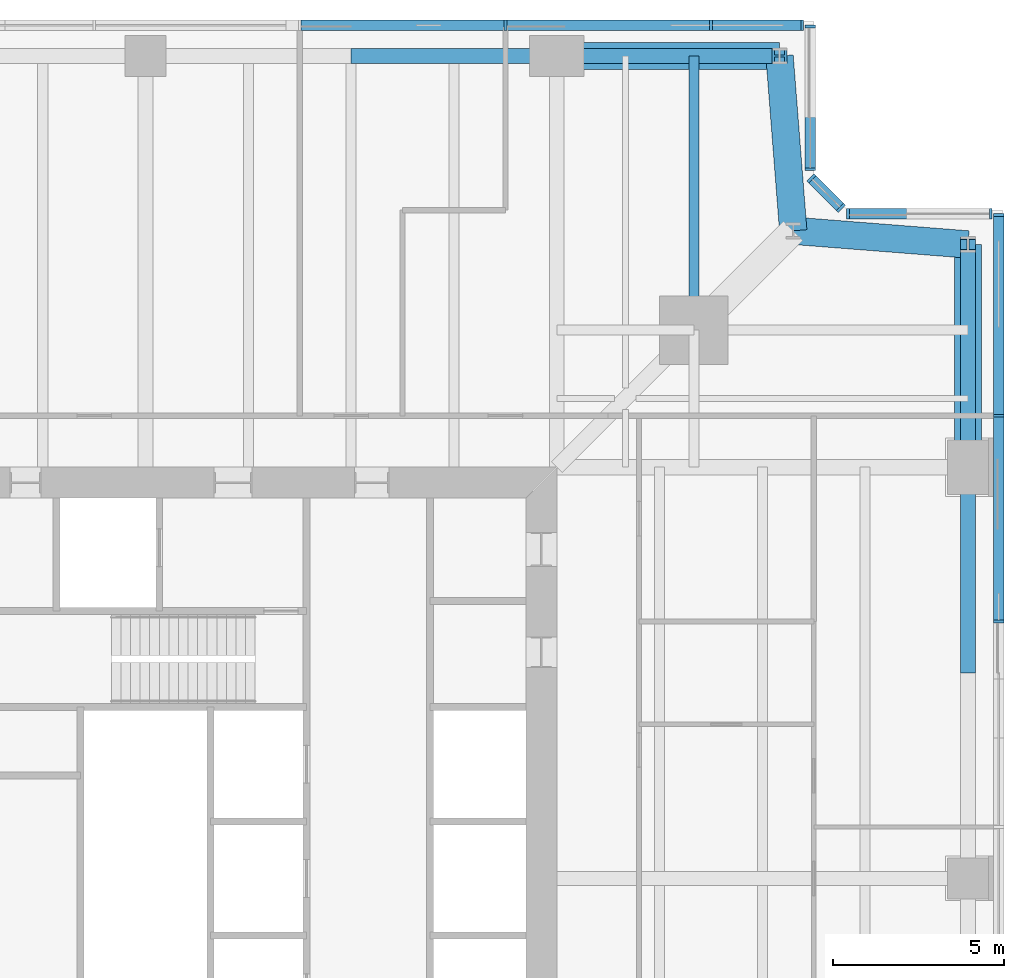
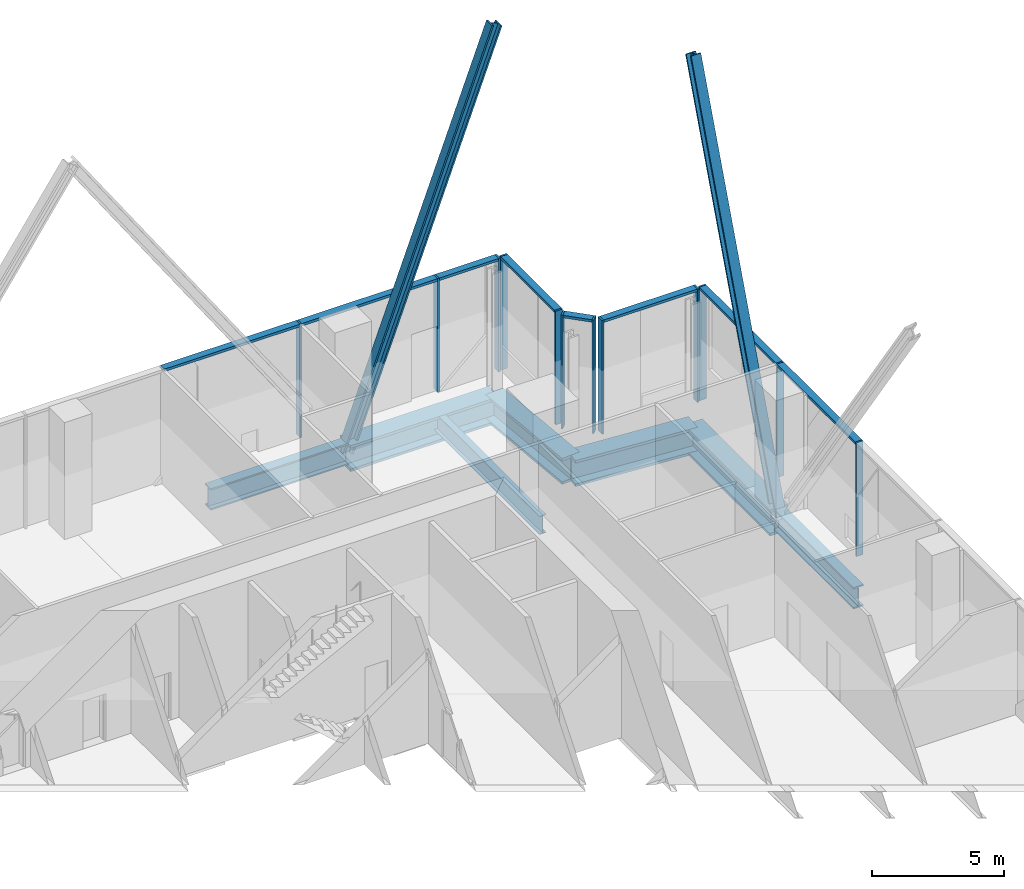
# One storey, part 5 of 14: 22 members, 7 beams, 5 elements without a shape of their own.
"""IFC4 building model written with IfcOpenShell, lengths in metres."""

from ifc_helpers import new_model, si_unit, direction, frame, origin, origin_2d, place, context, subcontext, project, spatial, rectangle, i_section, extrude, material, material_profile, profile_set, type_object, element, aggregate, save


model = new_model("IFC4")

# Units and contexts
model_context = context("Model", 3, precision=1e-05, world=origin(), true_north=direction((0.0, 1.0)))
body_context = subcontext(model_context, "Body", "Model", "MODEL_VIEW")
ifc_project = project(units=[si_unit("LENGTHUNIT", "METRE"), si_unit("AREAUNIT", "SQUARE_METRE"), si_unit("VOLUMEUNIT", "CUBIC_METRE"), si_unit("PLANEANGLEUNIT", "RADIAN"), si_unit("MASSUNIT", "GRAM", prefix="KILO")], contexts=[model_context])

# Site, building, storey
site_placement = place(None, origin())
site = spatial("IfcSite", under=ifc_project, at=site_placement, CompositionType="ELEMENT")
building_placement = place(site_placement, origin())
building = spatial("IfcBuilding", under=site, at=building_placement, Name="Fenwick Lantern Interchange", CompositionType="ELEMENT")
storey_placement = place(building_placement, frame((0.0, 0.0, 168.39990234375)))
storey = spatial("IfcBuildingStorey", under=building, at=storey_placement, Name="L39", CompositionType="ELEMENT", Elevation=168.39990234375)

# Members
ifc_material_1 = material(Name="Steel ASTM A992 Grade 50", Category="steel")
ifc_material_profile_1 = material_profile(ifc_material_1, i_section(OverallWidth=0.424072265625, OverallDepth=0.47509765625, WebThickness=0.0478515625, FlangeThickness=0.0771484375, at=origin_2d()), Name="W14X426")
ifc_profile_set_1 = profile_set([ifc_material_profile_1], Name="Steel ASTM A992 Grade 50")
member_type_1 = type_object("IfcMemberType", Name="FACADE BRACE W14X426", PredefinedType="BRACE", material=ifc_profile_set_1)
for number, where, z_axis, x_axis, name in (
    (1, (49.0, 37.0, -0.696533203125), (0.0, 0.348348807467, 0.93736498139), (-1.0, 0.0, 0.0), "L39/FB/E/BE"),
    (2, (37.0, 49.0, -0.696533203125), (0.348348807467, 0.0, 0.93736498139), (0.0, 1.0, 0.0), "L39/FB/N/AE"),
):
    element("IfcMember", number, at=place(storey_placement, frame(where, z_axis=z_axis, x_axis=x_axis)), inside=storey, type_object=member_type_1, Name=name, PredefinedType="BRACE", context=body_context, shape_type="SweptSolid", body=[
        extrude(i_section(OverallWidth=0.424072265625, OverallDepth=0.47509765625, WebThickness=0.0478515625, FlangeThickness=0.0771484375, at=origin_2d()), origin(), (0.0, 0.0, 1.0), 18.659423828125),
    ])

# Beams
ifc_material_profile_2 = material_profile(ifc_material_1, i_section(OverallWidth=0.2919921875, OverallDepth=0.845703125, WebThickness=0.015380859375, FlangeThickness=0.0244140625, at=origin_2d()), Name="W33X141")
ifc_profile_set_2 = profile_set([ifc_material_profile_2], Name="Steel ASTM A992 Grade 50")
beam_type_1 = type_object("IfcBeamType", Name="MEGA COLUMN BEAM W33X141", PredefinedType="BEAM", material=ifc_profile_set_2)
beam_1_placement = place(storey_placement, frame((41.0, 41.0, -0.622802734375), z_axis=(0.0, 1.0, 0.0), x_axis=(-1.0, 0.0, 0.0)))
element("IfcBeam", 3, at=beam_1_placement, inside=storey, type_object=beam_type_1, Name="L39/FR/N/MB1", PredefinedType="BEAM", context=body_context, shape_type="SweptSolid", body=[
    extrude(i_section(OverallWidth=0.2919921875, OverallDepth=0.845703125, WebThickness=0.015380859375, FlangeThickness=0.0244140625, at=origin_2d()), origin(), (0.0, 0.0, 1.0), 8.0),
])
ifc_material_2 = material(Name="Steel ASTM A572 Grade 42", Category="steel")
ifc_material_profile_3 = material_profile(ifc_material_2, i_section(OverallWidth=0.800048828125, OverallDepth=1.199951171875, WebThickness=0.06005859375, FlangeThickness=0.1201171875, at=origin_2d()), Name="BU1200X800")
ifc_profile_set_3 = profile_set([ifc_material_profile_3], Name="Steel ASTM A572 Grade 42")
beam_type_2 = type_object("IfcBeamType", Name="MOMENT-CONNECTED TRANSFER GIRDER BU1200X800", PredefinedType="BEAM", material=ifc_profile_set_3)
beam_2_placement = place(storey_placement, frame((49.0, 37.0, -0.7998046875), z_axis=(0.0, 1.0, 0.0), x_axis=(-1.0, 0.0, 0.0)))
element("IfcBeam", 4, at=beam_2_placement, inside=storey, type_object=beam_type_2, Name="L39/FR/E/EB6", PredefinedType="BEAM", context=body_context, shape_type="SweptSolid", body=[
    extrude(i_section(OverallWidth=0.800048828125, OverallDepth=1.199951171875, WebThickness=0.06005859375, FlangeThickness=0.1201171875, at=origin_2d()), origin(), (0.0, 0.0, 1.0), 6.5),
])
for number, where, z_axis, x_axis, name in (
    (5, (49.0, 43.5, -0.7998046875), (-0.99693998236, 0.078170784639, 0.0), (-0.078170784639, -0.99693998236, 0.0), "L39/FR/E/EBR1"),
    (6, (43.89990234375, 43.89990234375, -0.7998046875), (-0.078170784639, 0.99693998236, 0.0), (-0.99693998236, -0.078170784639, 0.0), "L39/FR/E/EBR2"),
):
    element("IfcBeam", number, at=place(storey_placement, frame(where, z_axis=z_axis, x_axis=x_axis)), inside=storey, type_object=beam_type_2, Name=name, PredefinedType="BEAM", context=body_context, shape_type="SweptSolid", body=[
        extrude(i_section(OverallWidth=0.800048828125, OverallDepth=1.199951171875, WebThickness=0.06005859375, FlangeThickness=0.1201171875, at=origin_2d()), origin(), (0.0, 0.0, 1.0), 5.11572265625),
    ])
beam_3_placement = place(storey_placement, frame((43.5, 49.0, -0.7998046875), z_axis=(-1.0, 0.0, 0.0), x_axis=(0.0, -1.0, 0.0)))
element("IfcBeam", 7, at=beam_3_placement, inside=storey, type_object=beam_type_2, Name="L39/FR/N/EB1", PredefinedType="BEAM", context=body_context, shape_type="SweptSolid", body=[
    extrude(i_section(OverallWidth=0.800048828125, OverallDepth=1.199951171875, WebThickness=0.06005859375, FlangeThickness=0.1201171875, at=origin_2d()), origin(), (0.0, 0.0, 1.0), 6.5),
])

# Curtain wall, members
ifc_material_3 = material(Name="Aluminium curtain wall frame", Category="aluminium")
curtain_wall_type = type_object("IfcCurtainWallType", Name="SKY LOBBY GLAZING", PredefinedType="USERDEFINED", material=ifc_material_3)
curtain_wall_1_placement = place(storey_placement, origin())
curtain_wall_1 = element("IfcCurtainWall", 8, at=curtain_wall_1_placement, inside=storey, type_object=curtain_wall_type, Name="Sky lobby glazing 05", ObjectType="SKY LOBBY GLAZING", PredefinedType="USERDEFINED")
ifc_material_4 = material(Name="Aluminium extrusion", Category="aluminium")
ifc_material_profile_4 = material_profile(ifc_material_4, rectangle(XDim=0.300048828125, YDim=0.080078125, at=origin_2d()), Name="SKY LOBBY GLAZING MULLION 80 X 300")
ifc_profile_set_4 = profile_set([ifc_material_profile_4], Name="Aluminium extrusion")
member_type_2 = type_object("IfcMemberType", Name="SKY LOBBY GLAZING MULLION 80 X 300", PredefinedType="MULLION", material=ifc_profile_set_4)
member_1_placement = place(storey_placement, frame((49.89990234375, 32.5, 0.0), z_axis=(0.0, 0.0, 1.0), x_axis=(-1.0, 0.0, 0.0)))
member_1 = element("IfcMember", 9, at=member_1_placement, type_object=member_type_2, Name="L39/CW/05/M05", PredefinedType="MULLION", context=body_context, shape_type="SweptSolid", body=[
    extrude(rectangle(XDim=0.300048828125, YDim=0.080078125, at=origin_2d()), origin(), (0.0, 0.0, 1.0), 5.25),
])
member_2_placement = place(storey_placement, frame((49.89990234375, 38.5, 0.0), z_axis=(0.0, 0.0, 1.0), x_axis=(-1.0, 0.0, 0.0)))
member_2 = element("IfcMember", 10, at=member_2_placement, type_object=member_type_2, Name="L39/CW/05/M06", PredefinedType="MULLION", context=body_context, shape_type="SweptSolid", body=[
    extrude(rectangle(XDim=0.300048828125, YDim=0.080078125, at=origin_2d()), origin(), (0.0, 0.0, 1.0), 5.25),
])
member_3_placement = place(storey_placement, frame((49.89990234375, 44.360107421875, 0.0), z_axis=(0.0, 0.0, 1.0), x_axis=(-1.0, 0.0, 0.0)))
member_3 = element("IfcMember", 11, at=member_3_placement, type_object=member_type_2, Name="L39/CW/05/M07", PredefinedType="MULLION", context=body_context, shape_type="SweptSolid", body=[
    extrude(rectangle(XDim=0.300048828125, YDim=0.080078125, at=origin_2d()), origin(), (0.0, 0.0, 1.0), 5.25),
])

curtain_wall_2_placement = place(storey_placement, origin())
curtain_wall_2 = element("IfcCurtainWall", 12, at=curtain_wall_2_placement, inside=storey, type_object=curtain_wall_type, Name="Sky lobby glazing 06", ObjectType="SKY LOBBY GLAZING", PredefinedType="USERDEFINED")
member_4_placement = place(storey_placement, frame((49.659912109375, 44.39990234375, 0.0), z_axis=(0.0, 0.0, 1.0), x_axis=(0.0, -1.0, 0.0)))
member_4 = element("IfcMember", 13, at=member_4_placement, type_object=member_type_2, Name="L39/CW/06/M00", PredefinedType="MULLION", context=body_context, shape_type="SweptSolid", body=[
    extrude(rectangle(XDim=0.300048828125, YDim=0.080078125, at=origin_2d()), origin(), (0.0, 0.0, 1.0), 5.25),
])
member_5_placement = place(storey_placement, frame((45.49853515625, 44.39990234375, 0.0), z_axis=(0.0, 0.0, 1.0), x_axis=(0.0, -1.0, 0.0)))
member_5 = element("IfcMember", 14, at=member_5_placement, type_object=member_type_2, Name="L39/CW/06/M01", PredefinedType="MULLION", context=body_context, shape_type="SweptSolid", body=[
    extrude(rectangle(XDim=0.300048828125, YDim=0.080078125, at=origin_2d()), origin(), (0.0, 0.0, 1.0), 5.25),
])

curtain_wall_3_placement = place(storey_placement, origin())
curtain_wall_3 = element("IfcCurtainWall", 15, at=curtain_wall_3_placement, inside=storey, type_object=curtain_wall_type, Name="Sky lobby glazing 07", ObjectType="SKY LOBBY GLAZING", PredefinedType="USERDEFINED")
member_6_placement = place(storey_placement, frame((45.288818359375, 44.56982421875, 0.0), z_axis=(0.0, 0.0, 1.0), x_axis=(-0.707106781187, -0.707106781187, 0.0)))
member_6 = element("IfcMember", 16, at=member_6_placement, type_object=member_type_2, Name="L39/CW/07/M00", PredefinedType="MULLION", context=body_context, shape_type="SweptSolid", body=[
    extrude(rectangle(XDim=0.300048828125, YDim=0.080078125, at=origin_2d()), origin(), (0.0, 0.0, 1.0), 5.25),
])
member_7_placement = place(storey_placement, frame((44.42822265625, 45.43017578125, 0.0), z_axis=(0.0, 0.0, 1.0), x_axis=(-0.707106781187, -0.707106781187, 0.0)))
member_7 = element("IfcMember", 17, at=member_7_placement, type_object=member_type_2, Name="L39/CW/07/M01", PredefinedType="MULLION", context=body_context, shape_type="SweptSolid", body=[
    extrude(rectangle(XDim=0.300048828125, YDim=0.080078125, at=origin_2d()), origin(), (0.0, 0.0, 1.0), 5.25),
])

curtain_wall_4_placement = place(storey_placement, origin())
curtain_wall_4 = element("IfcCurtainWall", 18, at=curtain_wall_4_placement, inside=storey, type_object=curtain_wall_type, Name="Sky lobby glazing 08", ObjectType="SKY LOBBY GLAZING", PredefinedType="USERDEFINED")
member_8_placement = place(storey_placement, frame((44.39990234375, 45.698486328125, 0.0), z_axis=(0.0, 0.0, 1.0), x_axis=(-1.0, 0.0, 0.0)))
member_8 = element("IfcMember", 19, at=member_8_placement, type_object=member_type_2, Name="L39/CW/08/M00", PredefinedType="MULLION", context=body_context, shape_type="SweptSolid", body=[
    extrude(rectangle(XDim=0.300048828125, YDim=0.080078125, at=origin_2d()), origin(), (0.0, 0.0, 1.0), 5.25),
])
member_9_placement = place(storey_placement, frame((44.39990234375, 49.860107421875, 0.0), z_axis=(0.0, 0.0, 1.0), x_axis=(-1.0, 0.0, 0.0)))
member_9 = element("IfcMember", 20, at=member_9_placement, type_object=member_type_2, Name="L39/CW/08/M01", PredefinedType="MULLION", context=body_context, shape_type="SweptSolid", body=[
    extrude(rectangle(XDim=0.300048828125, YDim=0.080078125, at=origin_2d()), origin(), (0.0, 0.0, 1.0), 5.25),
])

curtain_wall_5_placement = place(storey_placement, origin())
curtain_wall_5 = element("IfcCurtainWall", 21, at=curtain_wall_5_placement, inside=storey, type_object=curtain_wall_type, Name="Sky lobby glazing 09", ObjectType="SKY LOBBY GLAZING", PredefinedType="USERDEFINED")
member_10_placement = place(storey_placement, frame((44.159912109375, 49.89990234375, 0.0), z_axis=(0.0, 0.0, 1.0), x_axis=(0.0, -1.0, 0.0)))
member_10 = element("IfcMember", 22, at=member_10_placement, type_object=member_type_2, Name="L39/CW/09/M00", PredefinedType="MULLION", context=body_context, shape_type="SweptSolid", body=[
    extrude(rectangle(XDim=0.300048828125, YDim=0.080078125, at=origin_2d()), origin(), (0.0, 0.0, 1.0), 5.25),
])
member_11_placement = place(storey_placement, frame((41.5, 49.89990234375, 0.0), z_axis=(0.0, 0.0, 1.0), x_axis=(0.0, -1.0, 0.0)))
member_11 = element("IfcMember", 23, at=member_11_placement, type_object=member_type_2, Name="L39/CW/09/M01", PredefinedType="MULLION", context=body_context, shape_type="SweptSolid", body=[
    extrude(rectangle(XDim=0.300048828125, YDim=0.080078125, at=origin_2d()), origin(), (0.0, 0.0, 1.0), 5.25),
])
member_12_placement = place(storey_placement, frame((35.5, 49.89990234375, 0.0), z_axis=(0.0, 0.0, 1.0), x_axis=(0.0, -1.0, 0.0)))
member_12 = element("IfcMember", 24, at=member_12_placement, type_object=member_type_2, Name="L39/CW/09/M02", PredefinedType="MULLION", context=body_context, shape_type="SweptSolid", body=[
    extrude(rectangle(XDim=0.300048828125, YDim=0.080078125, at=origin_2d()), origin(), (0.0, 0.0, 1.0), 5.25),
])

# Member
ifc_material_profile_5 = material_profile(ifc_material_4, rectangle(XDim=0.300048828125, YDim=0.1201171875, at=origin_2d()), Name="SKY LOBBY GLAZING TRANSOM 120 X 300")
ifc_profile_set_5 = profile_set([ifc_material_profile_5], Name="Aluminium extrusion")
member_type_3 = type_object("IfcMemberType", Name="SKY LOBBY GLAZING TRANSOM 120 X 300", PredefinedType="MULLION", material=ifc_profile_set_5)
member_13_placement = place(storey_placement, frame((49.89990234375, 32.5400390625, 5.190185546875), z_axis=(0.0, 1.0, 0.0), x_axis=(-1.0, 0.0, 0.0)))
member_13 = element("IfcMember", 25, at=member_13_placement, type_object=member_type_3, Name="L39/CW/05/T05", PredefinedType="MULLION", context=body_context, shape_type="SweptSolid", body=[
    extrude(rectangle(XDim=0.300048828125, YDim=0.1201171875, at=origin_2d()), origin(), (0.0, 0.0, 1.0), 5.919921875),
])

member_14_placement = place(storey_placement, frame((49.89990234375, 38.5400390625, 5.190185546875), z_axis=(0.0, 1.0, 0.0), x_axis=(-1.0, 0.0, 0.0)))
member_14 = element("IfcMember", 26, at=member_14_placement, type_object=member_type_3, Name="L39/CW/05/T06", PredefinedType="MULLION", context=body_context, shape_type="SweptSolid", body=[
    extrude(rectangle(XDim=0.300048828125, YDim=0.1201171875, at=origin_2d()), origin(), (0.0, 0.0, 1.0), 5.780029296875),
])

aggregate(curtain_wall_1, [member_1, member_2, member_3, member_13, member_14])

member_15_placement = place(storey_placement, frame((49.6201171875, 44.39990234375, 5.190185546875), z_axis=(-1.0, 0.0, 0.0), x_axis=(0.0, -1.0, 0.0)))
member_15 = element("IfcMember", 27, at=member_15_placement, type_object=member_type_3, Name="L39/CW/06/T00", PredefinedType="MULLION", context=body_context, shape_type="SweptSolid", body=[
    extrude(rectangle(XDim=0.300048828125, YDim=0.1201171875, at=origin_2d()), origin(), (0.0, 0.0, 1.0), 4.08154296875),
])

aggregate(curtain_wall_2, [member_4, member_5, member_15])

member_16_placement = place(storey_placement, frame((45.260498046875, 44.597900390625, 5.190185546875), z_axis=(-0.706999424203, 0.707214121873, 0.0), x_axis=(-0.707214121873, -0.706999424203, 0.0)))
member_16 = element("IfcMember", 28, at=member_16_placement, type_object=member_type_3, Name="L39/CW/07/T00", PredefinedType="MULLION", context=body_context, shape_type="SweptSolid", body=[
    extrude(rectangle(XDim=0.300048828125, YDim=0.1201171875, at=origin_2d()), origin(), (0.0, 0.0, 1.0), 1.13720703125),
])

aggregate(curtain_wall_3, [member_6, member_7, member_16])

member_17_placement = place(storey_placement, frame((44.39990234375, 45.738525390625, 5.190185546875), z_axis=(0.0, 1.0, 0.0), x_axis=(-1.0, 0.0, 0.0)))
member_17 = element("IfcMember", 29, at=member_17_placement, type_object=member_type_3, Name="L39/CW/08/T00", PredefinedType="MULLION", context=body_context, shape_type="SweptSolid", body=[
    extrude(rectangle(XDim=0.300048828125, YDim=0.1201171875, at=origin_2d()), origin(), (0.0, 0.0, 1.0), 4.08154296875),
])

aggregate(curtain_wall_4, [member_8, member_9, member_17])

member_18_placement = place(storey_placement, frame((44.1201171875, 49.89990234375, 5.190185546875), z_axis=(-1.0, 0.0, 0.0), x_axis=(0.0, -1.0, 0.0)))
member_18 = element("IfcMember", 30, at=member_18_placement, type_object=member_type_3, Name="L39/CW/09/T00", PredefinedType="MULLION", context=body_context, shape_type="SweptSolid", body=[
    extrude(rectangle(XDim=0.300048828125, YDim=0.1201171875, at=origin_2d()), origin(), (0.0, 0.0, 1.0), 2.580078125),
])

member_19_placement = place(storey_placement, frame((41.4599609375, 49.89990234375, 5.190185546875), z_axis=(-1.0, 0.0, 0.0), x_axis=(0.0, -1.0, 0.0)))
member_19 = element("IfcMember", 31, at=member_19_placement, type_object=member_type_3, Name="L39/CW/09/T01", PredefinedType="MULLION", context=body_context, shape_type="SweptSolid", body=[
    extrude(rectangle(XDim=0.300048828125, YDim=0.1201171875, at=origin_2d()), origin(), (0.0, 0.0, 1.0), 5.919921875),
])

member_20_placement = place(storey_placement, frame((35.4599609375, 49.89990234375, 5.190185546875), z_axis=(-1.0, 0.0, 0.0), x_axis=(0.0, -1.0, 0.0)))
member_20 = element("IfcMember", 32, at=member_20_placement, type_object=member_type_3, Name="L39/CW/09/T02", PredefinedType="MULLION", context=body_context, shape_type="SweptSolid", body=[
    extrude(rectangle(XDim=0.300048828125, YDim=0.1201171875, at=origin_2d()), origin(), (0.0, 0.0, 1.0), 5.919921875),
])

aggregate(curtain_wall_5, [member_10, member_11, member_12, member_18, member_19, member_20])

# Beams
ifc_material_profile_6 = material_profile(ifc_material_1, i_section(OverallWidth=0.434326171875, OverallDepth=0.9931640625, WebThickness=0.0380859375, FlangeThickness=0.06396484375, at=origin_2d()), Name="W36X487")
ifc_profile_set_6 = profile_set([ifc_material_profile_6], Name="Steel ASTM A992 Grade 50")
beam_type_3 = type_object("IfcBeamType", Name="TRUSS CHORD EDGE BEAM W36X487", PredefinedType="BEAM", material=ifc_profile_set_6)
for number, where, z_axis, x_axis, name in (
    (33, (49.0, 31.0, -0.696533203125), (0.0, 1.0, 0.0), (-1.0, 0.0, 0.0), "L39/FR/E/EB5"),
    (34, (37.0, 49.0, -0.696533203125), (-1.0, 0.0, 0.0), (0.0, -1.0, 0.0), "L39/FR/N/EB2"),
):
    element("IfcBeam", number, at=place(storey_placement, frame(where, z_axis=z_axis, x_axis=x_axis)), inside=storey, type_object=beam_type_3, Name=name, PredefinedType="BEAM", context=body_context, shape_type="SweptSolid", body=[
        extrude(i_section(OverallWidth=0.434326171875, OverallDepth=0.9931640625, WebThickness=0.0380859375, FlangeThickness=0.06396484375, at=origin_2d()), origin(), (0.0, 0.0, 1.0), 6.0),
    ])

save(model, "model.ifc")
